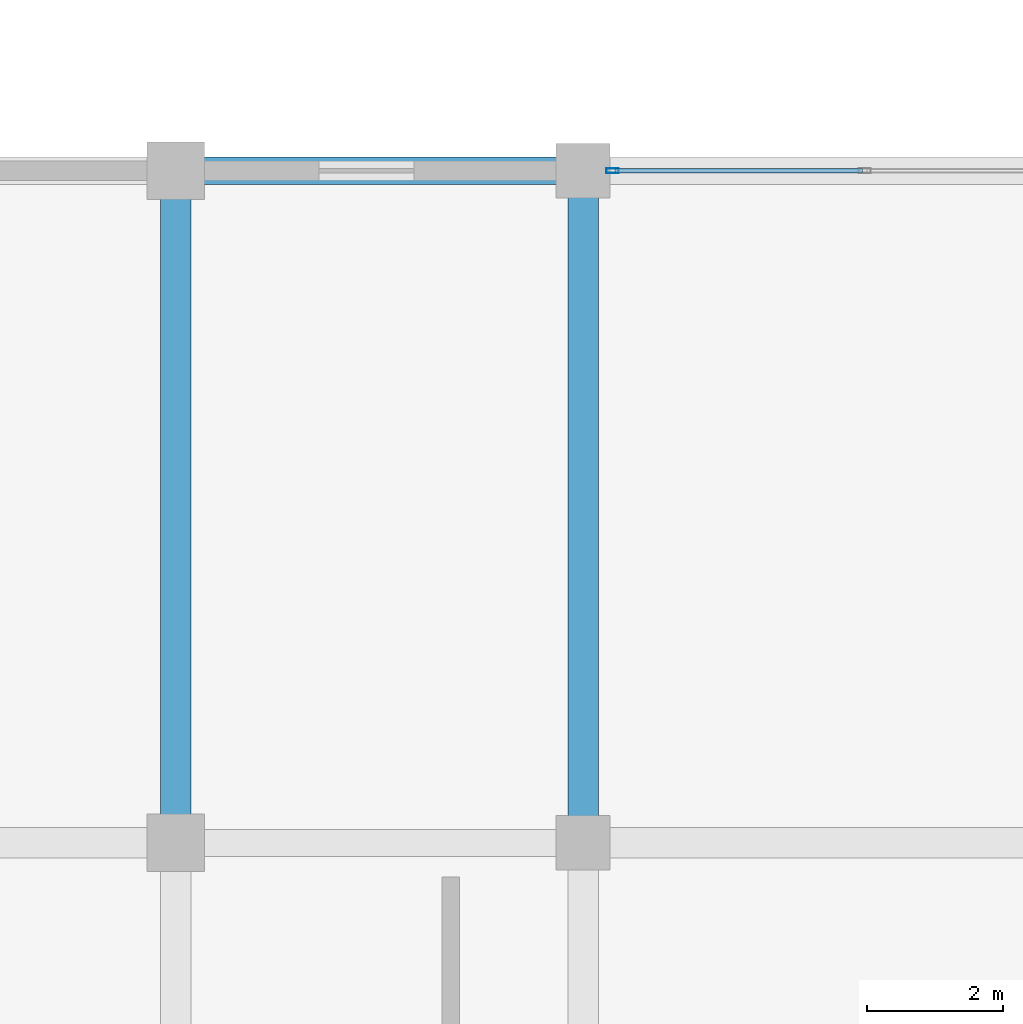
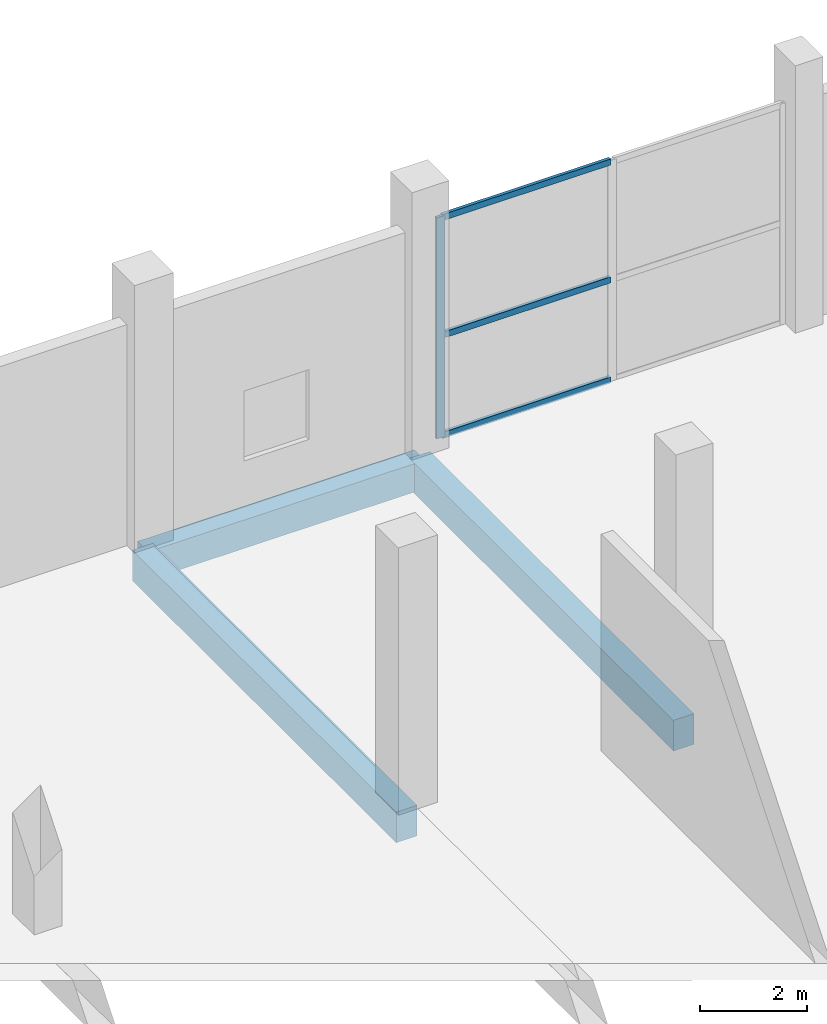
# One storey, part 32 of 58: 4 members, 3 beams, 1 element without a shape of its own.
"""IFC4 building model written with IfcOpenShell, lengths in metres."""

from ifc_helpers import new_model, si_unit, direction, frame, origin, origin_2d, place, context, subcontext, project, spatial, rectangle, hollow_rectangle, extrude, material, layer, layer_set, material_profile, profile_set, type_object, element, aggregate, save


model = new_model("IFC4")

# Units and contexts
model_context = context("Model", 3, precision=1e-05, world=origin(), true_north=direction((0.0, 1.0)))
body_context = subcontext(model_context, "Body", "Model", "MODEL_VIEW")
ifc_project = project(units=[si_unit("LENGTHUNIT", "METRE"), si_unit("AREAUNIT", "SQUARE_METRE"), si_unit("VOLUMEUNIT", "CUBIC_METRE"), si_unit("PLANEANGLEUNIT", "RADIAN"), si_unit("MASSUNIT", "GRAM", prefix="KILO")], contexts=[model_context])

# Site, building, storey
site_placement = place(None, origin())
site = spatial("IfcSite", under=ifc_project, at=site_placement, CompositionType="ELEMENT")
building_placement = place(site_placement, origin())
building = spatial("IfcBuilding", under=site, at=building_placement, Name="Sillaruma Civic Art Gallery", CompositionType="ELEMENT")
storey_placement = place(building_placement, frame((0.0, 0.0, 22.43994140625)))
storey = spatial("IfcBuildingStorey", under=building, at=storey_placement, Name="L04", CompositionType="ELEMENT", Elevation=22.43994140625)

# Beams
ifc_material_1 = material(Name="Concrete H35 (35 MPa)", Category="concrete")
ifc_material_profile_1 = material_profile(ifc_material_1, rectangle(XDim=0.39990234375, YDim=0.64990234375, at=origin_2d()), Name="RCB400x650")
ifc_profile_set_1 = profile_set([ifc_material_profile_1], Name="Concrete H35 (35 MPa)")
beam_type_1 = type_object("IfcBeamType", Name="BM-SPANDREL-RCB400x650", PredefinedType="SPANDREL", material=ifc_profile_set_1)
beam_placement = place(storey_placement, frame((92.0, 99.0, -0.5849609375), z_axis=(1.0, 0.0, 0.0), x_axis=(0.0, 1.0, 0.0)))
element("IfcBeam", 1, at=beam_placement, inside=storey, type_object=beam_type_1, Name="Beam BS-02 (L03:11:K-L)", PredefinedType="SPANDREL", context=body_context, shape_type="SweptSolid", body=[
    extrude(rectangle(XDim=0.39990234375, YDim=0.64990234375, at=origin_2d()), origin(), (0.0, 0.0, 1.0), 6.0),
])
ifc_material_profile_2 = material_profile(ifc_material_1, rectangle(XDim=0.449951171875, YDim=0.699951171875, at=origin_2d()), Name="RCB450x700")
ifc_profile_set_2 = profile_set([ifc_material_profile_2], Name="Concrete H35 (35 MPa)")
beam_type_2 = type_object("IfcBeamType", Name="BM-SPANDREL-RCB450x700", PredefinedType="SPANDREL", material=ifc_profile_set_2)
for number, where, z_axis, x_axis, name in (
    (2, (92.0, 89.10009765625, -0.60986328125), (0.0, 1.0, 0.0), (-1.0, 0.0, 0.0), "Beam BS-03 (L03:K:10-11)"),
    (3, (98.0, 89.10009765625, -0.60986328125), (0.0, 1.0, 0.0), (-1.0, 0.0, 0.0), "Beam BS-03 (L03:L:10-11)"),
):
    element("IfcBeam", number, at=place(storey_placement, frame(where, z_axis=z_axis, x_axis=x_axis)), inside=storey, type_object=beam_type_2, Name=name, PredefinedType="SPANDREL", context=body_context, shape_type="SweptSolid", body=[
        extrude(rectangle(XDim=0.449951171875, YDim=0.699951171875, at=origin_2d()), origin(), (0.0, 0.0, 1.0), 9.89990234375),
    ])

# Curtain wall, members
ifc_material_2 = material(Name="Thermally Broken Extruded Aluminium 6063-T6", Category="aluminium")
ifc_layer = layer(ifc_material_2, 0.179931640625, Name="Thermally Broken Extruded Aluminium 6063-T6")
ifc_layer_set = layer_set([ifc_layer], Name="Thermally Broken Extruded Aluminium 6063-T6")
curtain_wall_type = type_object("IfcCurtainWallType", Name="CW-UNI-27", PredefinedType="NOTDEFINED", material=ifc_layer_set)
curtain_wall_placement = place(storey_placement, origin())
curtain_wall = element("IfcCurtainWall", 4, at=curtain_wall_placement, inside=storey, type_object=curtain_wall_type, Name="Unitised Curtain Wall CW-27 (CW-L04-N-6)", PredefinedType="NOTDEFINED")
ifc_material_profile_3 = material_profile(ifc_material_2, hollow_rectangle(XDim=0.070068359375, YDim=0.179931640625, WallThickness=0.00390625, at=origin_2d()), Name="CWM70x180")
ifc_profile_set_3 = profile_set([ifc_material_profile_3], Name="Thermally Broken Extruded Aluminium 6063-T6")
member_type_1 = type_object("IfcMemberType", Name="MEM-MUL-CWM70x180", PredefinedType="MULLION", material=ifc_profile_set_3)
member_1_placement = place(storey_placement, frame((98.43505859375, 99.0, 0.0), z_axis=(0.0, 0.0, 1.0), x_axis=(0.0, 1.0, 0.0)))
member_1 = element("IfcMember", 5, at=member_1_placement, type_object=member_type_1, Name="CW-27 mullion 1", PredefinedType="MULLION", context=body_context, shape_type="SweptSolid", body=[
    extrude(hollow_rectangle(XDim=0.070068359375, YDim=0.179931640625, WallThickness=0.00390625, at=origin_2d()), origin(), (0.0, 0.0, 1.0), 5.06005859375),
])
ifc_material_profile_4 = material_profile(ifc_material_2, hollow_rectangle(XDim=0.070068359375, YDim=0.139892578125, WallThickness=0.00390625, at=origin_2d()), Name="CWT70x140")
ifc_profile_set_4 = profile_set([ifc_material_profile_4], Name="Thermally Broken Extruded Aluminium 6063-T6")
member_type_2 = type_object("IfcMemberType", Name="MEM-TRN-CWT70x140", PredefinedType="USERDEFINED", material=ifc_profile_set_4)
member_2_placement = place(storey_placement, frame((98.469970703125, 99.0, 0.03515625), z_axis=(1.0, 0.0, 0.0), x_axis=(0.0, 1.0, 0.0)))
member_2 = element("IfcMember", 6, at=member_2_placement, type_object=member_type_2, Name="CW-27 transom 1.1", ObjectType="TRANSOM", PredefinedType="USERDEFINED", context=body_context, shape_type="SweptSolid", body=[
    extrude(hollow_rectangle(XDim=0.070068359375, YDim=0.139892578125, WallThickness=0.00390625, at=origin_2d()), origin(), (0.0, 0.0, 1.0), 3.64501953125),
])
member_3_placement = place(storey_placement, frame((98.469970703125, 99.0, 2.32763671875), z_axis=(1.0, 0.0, 0.0), x_axis=(0.0, 1.0, 0.0)))
member_3 = element("IfcMember", 7, at=member_3_placement, type_object=member_type_2, Name="CW-27 transom 1.2", ObjectType="TRANSOM", PredefinedType="USERDEFINED", context=body_context, shape_type="SweptSolid", body=[
    extrude(hollow_rectangle(XDim=0.070068359375, YDim=0.139892578125, WallThickness=0.00390625, at=origin_2d()), origin(), (0.0, 0.0, 1.0), 3.64501953125),
])
member_4_placement = place(storey_placement, frame((98.469970703125, 99.0, 5.025146484375), z_axis=(1.0, 0.0, 0.0), x_axis=(0.0, 1.0, 0.0)))
member_4 = element("IfcMember", 8, at=member_4_placement, type_object=member_type_2, Name="CW-27 transom 1.3", ObjectType="TRANSOM", PredefinedType="USERDEFINED", context=body_context, shape_type="SweptSolid", body=[
    extrude(hollow_rectangle(XDim=0.070068359375, YDim=0.139892578125, WallThickness=0.00390625, at=origin_2d()), origin(), (0.0, 0.0, 1.0), 3.64501953125),
])
aggregate(curtain_wall, [member_1, member_2, member_3, member_4])

save(model, "model.ifc")
